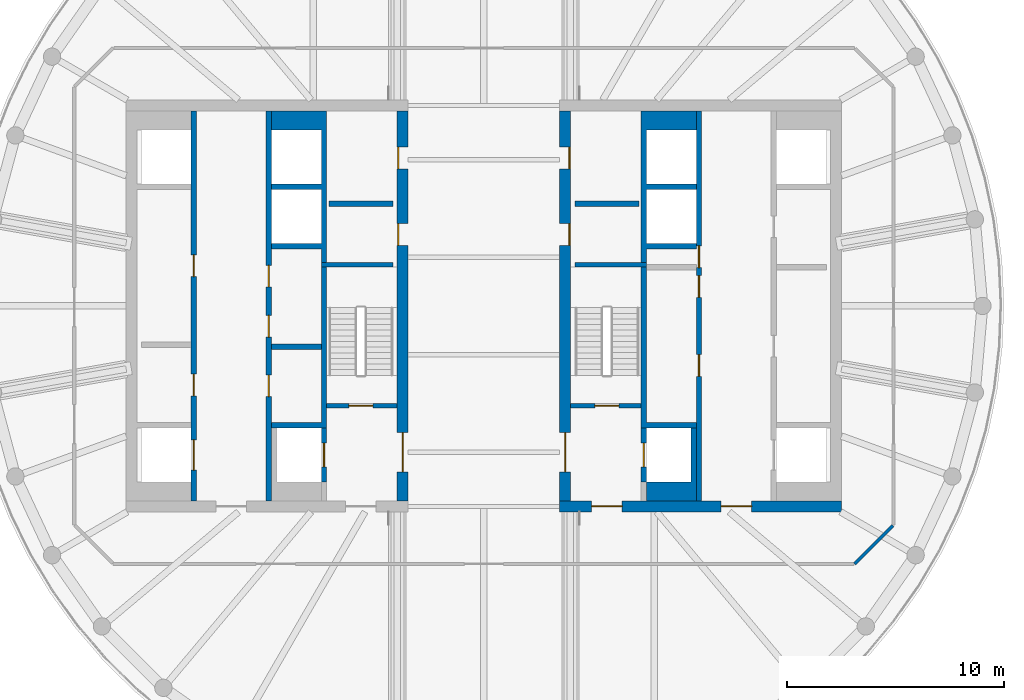
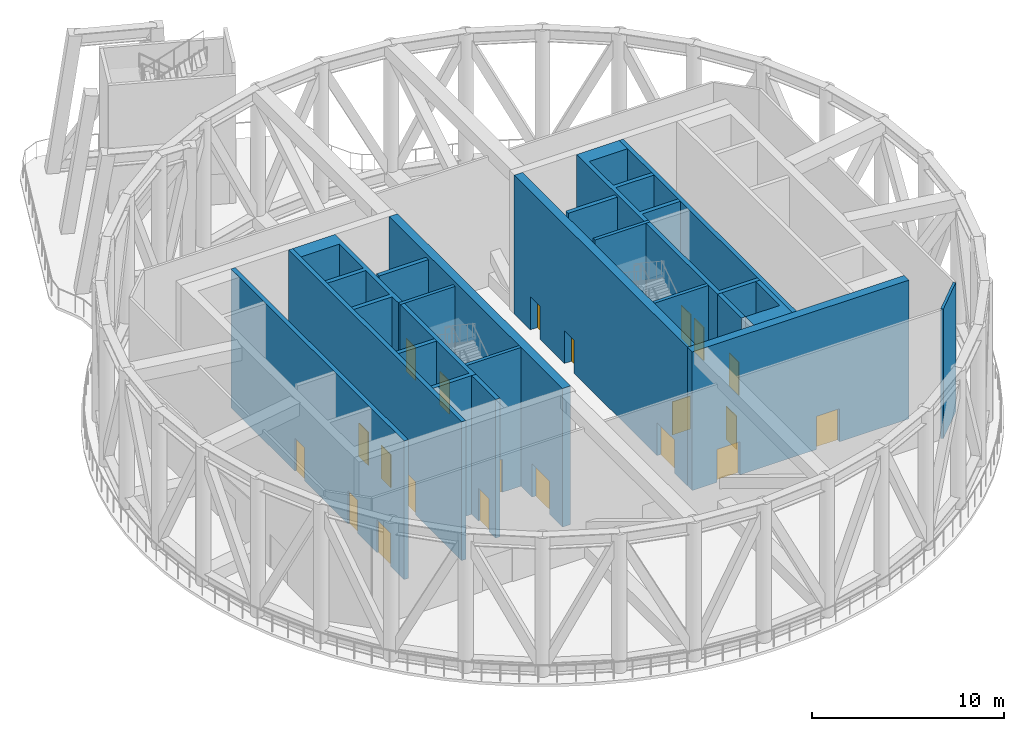
# One storey, part 4 of 10: 21 doors, 19 walls, 21 openings.
"""IFC4 building model written with IfcOpenShell, lengths in metres."""

from ifc_helpers import new_model, si_unit, direction, frame, frame_2d, origin, place, context, subcontext, project, spatial, polyline, rectangle, outline, extrude, material, layer, layer_set, type_object, element, fill, save


model = new_model("IFC4")

# Units and contexts
model_context = context("Model", 3, precision=1e-05, world=origin(), true_north=direction((0.0, 1.0)))
body_context = subcontext(model_context, "Body", "Model", "MODEL_VIEW")
ifc_project = project(units=[si_unit("LENGTHUNIT", "METRE"), si_unit("AREAUNIT", "SQUARE_METRE"), si_unit("VOLUMEUNIT", "CUBIC_METRE"), si_unit("PLANEANGLEUNIT", "RADIAN"), si_unit("MASSUNIT", "GRAM", prefix="KILO")], contexts=[model_context])

# Site, building, storey
site_placement = place(None, origin())
site = spatial("IfcSite", under=ifc_project, at=site_placement, CompositionType="ELEMENT")
building_placement = place(site_placement, origin())
building = spatial("IfcBuilding", under=site, at=building_placement, Name="Tamarind Cross Interchange Tower", CompositionType="ELEMENT")
storey_placement = place(building_placement, frame((0.0, 0.0, 278.39990234375)))
storey = spatial("IfcBuildingStorey", under=building, at=storey_placement, Name="L71", CompositionType="ELEMENT", Elevation=278.39990234375)

# Wall, openings, doors
ifc_material_1 = material(Name="Concrete C50", Category="concrete")
ifc_layer_1 = layer(ifc_material_1, 0.5)
ifc_layer_set_1 = layer_set([ifc_layer_1], Name="Concrete C50")
wall_type_1 = type_object("IfcWallType", Name="Core wall 500 mm Concrete C50", PredefinedType="SHEAR", material=ifc_layer_set_1)
wall_1_placement = place(storey_placement, frame((-3.75, -9.0, 0.0), z_axis=(0.0, 0.0, 1.0), x_axis=(0.0, 1.0, 0.0)))
wall_1 = element("IfcWall", 1, at=wall_1_placement, inside=storey, type_object=wall_type_1, Name="Core wall CWL-L71-W-IN", PredefinedType="SHEAR", context=body_context, shape_type="SweptSolid", body=[
    extrude(rectangle(XDim=18.0, YDim=0.5, at=frame_2d((9.0, 0.0))), origin(), (0.0, 0.0, 1.0), 8.800048828125),
])
opening_1_placement = place(wall_1_placement, frame((1.35009765625, 0.0, 0.0)))
opening_1 = element("IfcOpeningElement", 2, at=opening_1_placement, cuts=wall_1, Name="Opening DCW4", PredefinedType="OPENING", context=body_context, shape_type="SweptSolid", body=[
    extrude(rectangle(XDim=1.800048828125, YDim=2.10009765625, at=frame_2d((0.89990234375, 1.050048828125))), frame((0.0, 0.260009765625, 0.0), z_axis=(0.0, -1.0, 0.0), x_axis=(1.0, 0.0, 0.0)), (0.0, 0.0, 1.0), 0.52001953125),
])
opening_2_placement = place(wall_1_placement, frame((11.797607421875, 0.0, 0.0)))
opening_2 = element("IfcOpeningElement", 3, at=opening_2_placement, cuts=wall_1, Name="Opening DCW5", PredefinedType="OPENING", context=body_context, shape_type="SweptSolid", body=[
    extrude(rectangle(XDim=1.0, YDim=2.10009765625, at=frame_2d((0.5, 1.050048828125))), frame((0.0, 0.260009765625, 0.0), z_axis=(0.0, -1.0, 0.0), x_axis=(1.0, 0.0, 0.0)), (0.0, 0.0, 1.0), 0.52001953125),
])
opening_3_placement = place(wall_1_placement, frame((15.322509765625, 0.0, 0.0)))
opening_3 = element("IfcOpeningElement", 4, at=opening_3_placement, cuts=wall_1, Name="Opening DCW5", PredefinedType="OPENING", context=body_context, shape_type="SweptSolid", body=[
    extrude(rectangle(XDim=1.0, YDim=2.10009765625, at=frame_2d((0.5, 1.050048828125))), frame((0.0, 0.260009765625, 0.0), z_axis=(0.0, -1.0, 0.0), x_axis=(1.0, 0.0, 0.0)), (0.0, 0.0, 1.0), 0.52001953125),
])
ifc_material_2 = material(Name="Steel, fire-resisting", Category="steel")
door_type_1 = type_object("IfcDoorType", Name="Core fire door 1000 x 2100 FD90", OperationType="SINGLE_SWING_LEFT", PredefinedType="DOOR", material=ifc_material_2)
door_1_placement = place(opening_2_placement, origin())
door_1 = element("IfcDoor", 5, at=door_1_placement, inside=storey, type_object=door_type_1, Name="L71 plant store door", OperationType="SINGLE_SWING_LEFT", OverallHeight=2.10009765625, OverallWidth=1.0, PredefinedType="DOOR", context=body_context, shape_type="SweptSolid", body=[
    extrude(rectangle(XDim=1.0, YDim=2.10009765625, at=frame_2d((0.5, 1.050048828125))), frame((0.0, 0.22509765625, 0.0), z_axis=(0.0, -1.0, 0.0), x_axis=(1.0, 0.0, 0.0)), (0.0, 0.0, 1.0), 0.050048828125),
])
fill(opening_2, door_1)
door_2_placement = place(opening_3_placement, origin())
door_2 = element("IfcDoor", 6, at=door_2_placement, inside=storey, type_object=door_type_1, Name="L71 pump store door", OperationType="SINGLE_SWING_LEFT", OverallHeight=2.10009765625, OverallWidth=1.0, PredefinedType="DOOR", context=body_context, shape_type="SweptSolid", body=[
    extrude(rectangle(XDim=1.0, YDim=2.10009765625, at=frame_2d((0.5, 1.050048828125))), frame((0.0, 0.22509765625, 0.0), z_axis=(0.0, -1.0, 0.0), x_axis=(1.0, 0.0, 0.0)), (0.0, 0.0, 1.0), 0.050048828125),
])
fill(opening_3, door_2)
door_type_2 = type_object("IfcDoorType", Name="Core fire door 1800 x 2100 FD90", OperationType="SINGLE_SWING_LEFT", PredefinedType="DOOR", material=ifc_material_2)
door_3_placement = place(opening_1_placement, origin())
door_3 = element("IfcDoor", 7, at=door_3_placement, inside=storey, type_object=door_type_2, Name="L71 firefighting lobby door", OperationType="SINGLE_SWING_LEFT", OverallHeight=2.10009765625, OverallWidth=1.800048828125, PredefinedType="DOOR", context=body_context, shape_type="SweptSolid", body=[
    extrude(rectangle(XDim=1.800048828125, YDim=2.10009765625, at=frame_2d((0.89990234375, 1.050048828125))), frame((0.0, 0.02490234375, 0.0), z_axis=(0.0, -1.0, 0.0), x_axis=(1.0, 0.0, 0.0)), (0.0, 0.0, 1.0), 0.050048828125),
])
fill(opening_1, door_3)

wall_2_placement = place(storey_placement, frame((16.5, -9.25, 0.0), z_axis=(0.0, 0.0, 1.0), x_axis=(-1.0, 0.0, 0.0)))
wall_2 = element("IfcWall", 8, at=wall_2_placement, inside=storey, type_object=wall_type_1, Name="Core wall CWL-L71-E-S", PredefinedType="SHEAR", context=body_context, shape_type="SweptSolid", body=[
    extrude(rectangle(XDim=13.0, YDim=0.5, at=frame_2d((6.5, 0.0))), origin(), (0.0, 0.0, 1.0), 8.800048828125),
])
opening_4_placement = place(wall_2_placement, frame((4.14990234375, 0.0, 0.0)))
opening_4 = element("IfcOpeningElement", 9, at=opening_4_placement, cuts=wall_2, Name="Opening DCE1", PredefinedType="OPENING", context=body_context, shape_type="SweptSolid", body=[
    extrude(rectangle(XDim=1.39990234375, YDim=2.10009765625, at=frame_2d((0.699951171875, 1.050048828125))), frame((0.0, 0.260009765625, 0.0), z_axis=(0.0, -1.0, 0.0), x_axis=(1.0, 0.0, 0.0)), (0.0, 0.0, 1.0), 0.52001953125),
])
opening_5_placement = place(wall_2_placement, frame((10.125, 0.0, 0.0)))
opening_5 = element("IfcOpeningElement", 10, at=opening_5_placement, cuts=wall_2, Name="Opening DCEF", PredefinedType="OPENING", context=body_context, shape_type="SweptSolid", body=[
    extrude(rectangle(XDim=1.39990234375, YDim=2.10009765625, at=frame_2d((0.699951171875, 1.050048828125))), frame((0.0, 0.260009765625, 0.0), z_axis=(0.0, -1.0, 0.0), x_axis=(1.0, 0.0, 0.0)), (0.0, 0.0, 1.0), 0.52001953125),
])
door_type_3 = type_object("IfcDoorType", Name="Core fire door 1400 x 2100 FD90", OperationType="SINGLE_SWING_LEFT", PredefinedType="DOOR", material=ifc_material_2)
door_4_placement = place(opening_4_placement, origin())
door_4 = element("IfcDoor", 11, at=door_4_placement, inside=storey, type_object=door_type_3, Name="L71 lift lobby door", OperationType="SINGLE_SWING_LEFT", OverallHeight=2.10009765625, OverallWidth=1.39990234375, PredefinedType="DOOR", context=body_context, shape_type="SweptSolid", body=[
    extrude(rectangle(XDim=1.39990234375, YDim=2.10009765625, at=frame_2d((0.699951171875, 1.050048828125))), frame((0.0, 0.02490234375, 0.0), z_axis=(0.0, -1.0, 0.0), x_axis=(1.0, 0.0, 0.0)), (0.0, 0.0, 1.0), 0.050048828125),
])
fill(opening_4, door_4)
door_5_placement = place(opening_5_placement, origin())
door_5 = element("IfcDoor", 12, at=door_5_placement, inside=storey, type_object=door_type_3, Name="L71 firefighting lobby end door", OperationType="SINGLE_SWING_LEFT", OverallHeight=2.10009765625, OverallWidth=1.39990234375, PredefinedType="DOOR", context=body_context, shape_type="SweptSolid", body=[
    extrude(rectangle(XDim=1.39990234375, YDim=2.10009765625, at=frame_2d((0.699951171875, 1.050048828125))), frame((0.0, 0.02490234375, 0.0), z_axis=(0.0, -1.0, 0.0), x_axis=(1.0, 0.0, 0.0)), (0.0, 0.0, 1.0), 0.050048828125),
])
fill(opening_5, door_5)

wall_3_placement = place(storey_placement, frame((3.75, -9.0, 0.0), z_axis=(0.0, 0.0, 1.0), x_axis=(0.0, 1.0, 0.0)))
wall_3 = element("IfcWall", 13, at=wall_3_placement, inside=storey, type_object=wall_type_1, Name="Core wall CWL-L71-E-IN", PredefinedType="SHEAR", context=body_context, shape_type="SweptSolid", body=[
    extrude(rectangle(XDim=18.0, YDim=0.5, at=frame_2d((9.0, 0.0))), origin(), (0.0, 0.0, 1.0), 8.800048828125),
])
opening_6_placement = place(wall_3_placement, frame((1.35009765625, 0.0, 0.0)))
opening_6 = element("IfcOpeningElement", 14, at=opening_6_placement, cuts=wall_3, Name="Opening DCE4", PredefinedType="OPENING", context=body_context, shape_type="SweptSolid", body=[
    extrude(rectangle(XDim=1.800048828125, YDim=2.10009765625, at=frame_2d((0.89990234375, 1.050048828125))), frame((0.0, 0.260009765625, 0.0), z_axis=(0.0, -1.0, 0.0), x_axis=(1.0, 0.0, 0.0)), (0.0, 0.0, 1.0), 0.52001953125),
])
opening_7_placement = place(wall_3_placement, frame((11.797607421875, 0.0, 0.0)))
opening_7 = element("IfcOpeningElement", 15, at=opening_7_placement, cuts=wall_3, Name="Opening DCE5", PredefinedType="OPENING", context=body_context, shape_type="SweptSolid", body=[
    extrude(rectangle(XDim=1.0, YDim=2.10009765625, at=frame_2d((0.5, 1.050048828125))), frame((0.0, 0.260009765625, 0.0), z_axis=(0.0, -1.0, 0.0), x_axis=(1.0, 0.0, 0.0)), (0.0, 0.0, 1.0), 0.52001953125),
])
opening_8_placement = place(wall_3_placement, frame((15.322509765625, 0.0, 0.0)))
opening_8 = element("IfcOpeningElement", 16, at=opening_8_placement, cuts=wall_3, Name="Opening DCE5", PredefinedType="OPENING", context=body_context, shape_type="SweptSolid", body=[
    extrude(rectangle(XDim=1.0, YDim=2.10009765625, at=frame_2d((0.5, 1.050048828125))), frame((0.0, 0.260009765625, 0.0), z_axis=(0.0, -1.0, 0.0), x_axis=(1.0, 0.0, 0.0)), (0.0, 0.0, 1.0), 0.52001953125),
])
door_6_placement = place(opening_7_placement, origin())
door_6 = element("IfcDoor", 17, at=door_6_placement, inside=storey, type_object=door_type_1, Name="L71 plant store door", OperationType="SINGLE_SWING_LEFT", OverallHeight=2.10009765625, OverallWidth=1.0, PredefinedType="DOOR", context=body_context, shape_type="SweptSolid", body=[
    extrude(rectangle(XDim=1.0, YDim=2.10009765625, at=frame_2d((0.5, 1.050048828125))), frame((0.0, -0.1748046875, 0.0), z_axis=(0.0, -1.0, 0.0), x_axis=(1.0, 0.0, 0.0)), (0.0, 0.0, 1.0), 0.050048828125),
])
fill(opening_7, door_6)
door_7_placement = place(opening_8_placement, origin())
door_7 = element("IfcDoor", 18, at=door_7_placement, inside=storey, type_object=door_type_1, Name="L71 pump store door", OperationType="SINGLE_SWING_LEFT", OverallHeight=2.10009765625, OverallWidth=1.0, PredefinedType="DOOR", context=body_context, shape_type="SweptSolid", body=[
    extrude(rectangle(XDim=1.0, YDim=2.10009765625, at=frame_2d((0.5, 1.050048828125))), frame((0.0, -0.1748046875, 0.0), z_axis=(0.0, -1.0, 0.0), x_axis=(1.0, 0.0, 0.0)), (0.0, 0.0, 1.0), 0.050048828125),
])
fill(opening_8, door_7)
door_8_placement = place(opening_6_placement, origin())
door_8 = element("IfcDoor", 19, at=door_8_placement, inside=storey, type_object=door_type_2, Name="L71 firefighting lobby door", OperationType="SINGLE_SWING_LEFT", OverallHeight=2.10009765625, OverallWidth=1.800048828125, PredefinedType="DOOR", context=body_context, shape_type="SweptSolid", body=[
    extrude(rectangle(XDim=1.800048828125, YDim=2.10009765625, at=frame_2d((0.89990234375, 1.050048828125))), frame((0.0, 0.02490234375, 0.0), z_axis=(0.0, -1.0, 0.0), x_axis=(1.0, 0.0, 0.0)), (0.0, 0.0, 1.0), 0.050048828125),
])
fill(opening_6, door_8)

# Walls
ifc_layer_2 = layer(ifc_material_1, 0.199951171875)
ifc_layer_set_2 = layer_set([ifc_layer_2], Name="Concrete C50")
wall_type_2 = type_object("IfcWallType", Name="Core web wall 200 mm Concrete C50", PredefinedType="SHEAR", material=ifc_layer_set_2)
for number, where, z_axis, x_axis, name in (
    (20, (-7.5, 1.89990234375, 0.0), (0.0, 0.0, 1.0), (1.0, 0.0, 0.0), "Core wall CWL-L71-W-BD"),
    (21, (7.5, 1.89990234375, 0.0), (0.0, 0.0, 1.0), (-1.0, 0.0, 0.0), "Core wall CWL-L71-E-BD"),
):
    element("IfcWall", number, at=place(storey_placement, frame(where, z_axis=z_axis, x_axis=x_axis)), inside=storey, type_object=wall_type_2, Name=name, PredefinedType="SHEAR", context=body_context, shape_type="SweptSolid", body=[
        extrude(rectangle(XDim=3.300048828125, YDim=0.199951171875, at=frame_2d((1.64990234375, 0.0))), origin(), (0.0, 0.0, 1.0), 8.800048828125),
    ])
ifc_layer_3 = layer(ifc_material_1, 0.25)
ifc_layer_set_3 = layer_set([ifc_layer_3], Name="Concrete C50")
wall_type_3 = type_object("IfcWallType", Name="Core web wall 250 mm Concrete C50", PredefinedType="SHEAR", material=ifc_layer_set_3)
wall_4_placement = place(storey_placement, origin())
element("IfcWall", 22, at=wall_4_placement, inside=storey, type_object=wall_type_3, Name="Core wall CWL-L71-W-BN", PredefinedType="SHEAR", context=body_context, shape_type="SweptSolid", body=[
    extrude(outline(polyline([(-9.800048828125, -5.375), (-9.800048828125, -5.625), (-7.5, -5.625), (-7.25, -5.625), (-7.25, 9.0), (-7.5, 9.0), (-9.800048828125, 9.0), (-9.800048828125, 8.125), (-7.5, 8.125), (-7.5, 5.625), (-9.800048828125, 5.625), (-9.800048828125, 5.375), (-7.5, 5.375), (-7.5, 2.875), (-9.800048828125, 2.875), (-9.800048828125, 2.625), (-7.5, 2.625), (-7.5, -5.375), (-9.800048828125, -5.375)])), origin(), (0.0, 0.0, 1.0), 8.800048828125),
])

# Wall, openings, doors
wall_5_placement = place(storey_placement, frame((-13.375, -9.0, 0.0), z_axis=(0.0, 0.0, 1.0), x_axis=(0.0, 1.0, 0.0)))
wall_5 = element("IfcWall", 23, at=wall_5_placement, inside=storey, type_object=wall_type_3, Name="Core wall CWL-L71-W-LA", PredefinedType="SHEAR", context=body_context, shape_type="SweptSolid", body=[
    extrude(rectangle(XDim=18.0, YDim=0.25, at=frame_2d((9.0, 0.0))), origin(), (0.0, 0.0, 1.0), 8.800048828125),
])
opening_9_placement = place(wall_5_placement, frame((1.425048828125, 0.0, 0.0)))
opening_9 = element("IfcOpeningElement", 24, at=opening_9_placement, cuts=wall_5, Name="Opening LD1L71", PredefinedType="OPENING", context=body_context, shape_type="SweptSolid", body=[
    extrude(rectangle(XDim=1.39990234375, YDim=2.10009765625, at=frame_2d((0.699951171875, 1.050048828125))), frame((0.0, 0.135009765625, 0.0), z_axis=(0.0, -1.0, 0.0), x_axis=(1.0, 0.0, 0.0)), (0.0, 0.0, 1.0), 0.27001953125),
])
opening_10_placement = place(wall_5_placement, frame((4.85400390625, 0.0, 0.0)))
opening_10 = element("IfcOpeningElement", 25, at=opening_10_placement, cuts=wall_5, Name="Opening DCW9", PredefinedType="OPENING", context=body_context, shape_type="SweptSolid", body=[
    extrude(rectangle(XDim=1.0, YDim=2.10009765625, at=frame_2d((0.5, 1.050048828125))), frame((0.0, 0.135009765625, 0.0), z_axis=(0.0, -1.0, 0.0), x_axis=(1.0, 0.0, 0.0)), (0.0, 0.0, 1.0), 0.27001953125),
])
opening_11_placement = place(wall_5_placement, frame((10.35400390625, 0.0, 0.0)))
opening_11 = element("IfcOpeningElement", 26, at=opening_11_placement, cuts=wall_5, Name="Opening DCW10", PredefinedType="OPENING", context=body_context, shape_type="SweptSolid", body=[
    extrude(rectangle(XDim=1.0, YDim=2.10009765625, at=frame_2d((0.5, 1.050048828125))), frame((0.0, 0.135009765625, 0.0), z_axis=(0.0, -1.0, 0.0), x_axis=(1.0, 0.0, 0.0)), (0.0, 0.0, 1.0), 0.27001953125),
])
door_9_placement = place(opening_10_placement, origin())
door_9 = element("IfcDoor", 27, at=door_9_placement, inside=storey, type_object=door_type_1, Name="L71 Plant room door", OperationType="SINGLE_SWING_LEFT", OverallHeight=2.10009765625, OverallWidth=1.0, PredefinedType="DOOR", context=body_context, shape_type="SweptSolid", body=[
    extrude(rectangle(XDim=1.0, YDim=2.10009765625, at=frame_2d((0.5, 1.050048828125))), frame((0.0, 0.02490234375, 0.0), z_axis=(0.0, -1.0, 0.0), x_axis=(1.0, 0.0, 0.0)), (0.0, 0.0, 1.0), 0.050048828125),
])
fill(opening_10, door_9)
door_10_placement = place(opening_11_placement, origin())
door_10 = element("IfcDoor", 28, at=door_10_placement, inside=storey, type_object=door_type_1, Name="L71 Storage room door", OperationType="SINGLE_SWING_LEFT", OverallHeight=2.10009765625, OverallWidth=1.0, PredefinedType="DOOR", context=body_context, shape_type="SweptSolid", body=[
    extrude(rectangle(XDim=1.0, YDim=2.10009765625, at=frame_2d((0.5, 1.050048828125))), frame((0.0, 0.02490234375, 0.0), z_axis=(0.0, -1.0, 0.0), x_axis=(1.0, 0.0, 0.0)), (0.0, 0.0, 1.0), 0.050048828125),
])
fill(opening_11, door_10)
ifc_material_3 = material(Name="Stainless steel panel", Category="steel")
door_type_4 = type_object("IfcDoorType", Name="Lift landing door 1400 x 2100 E 120", OperationType="SLIDING_TO_LEFT", PredefinedType="DOOR", material=ifc_material_3)
door_11_placement = place(opening_9_placement, origin())
door_11 = element("IfcDoor", 29, at=door_11_placement, inside=storey, type_object=door_type_4, Name="L71 landing door LF1", OperationType="SLIDING_TO_LEFT", OverallHeight=2.10009765625, OverallWidth=1.39990234375, PredefinedType="DOOR", context=body_context, shape_type="SweptSolid", body=[
    extrude(rectangle(XDim=1.39990234375, YDim=2.10009765625, at=frame_2d((0.699951171875, 1.050048828125))), frame((0.0, 0.02490234375, 0.0), z_axis=(0.0, -1.0, 0.0), x_axis=(1.0, 0.0, 0.0)), (0.0, 0.0, 1.0), 0.050048828125),
])
fill(opening_9, door_11)

wall_6_placement = place(storey_placement, frame((-9.925048828125, -9.0, 0.0), z_axis=(0.0, 0.0, 1.0), x_axis=(0.0, 1.0, 0.0)))
wall_6 = element("IfcWall", 30, at=wall_6_placement, inside=storey, type_object=wall_type_3, Name="Core wall CWL-L71-W-LB", PredefinedType="SHEAR", context=body_context, shape_type="SweptSolid", body=[
    extrude(rectangle(XDim=18.0, YDim=0.25, at=frame_2d((9.0, 0.0))), origin(), (0.0, 0.0, 1.0), 8.800048828125),
])
opening_12_placement = place(wall_6_placement, frame((4.8125, 0.0, 0.0)))
opening_12 = element("IfcOpeningElement", 31, at=opening_12_placement, cuts=wall_6, Name="Opening DCW21", PredefinedType="OPENING", context=body_context, shape_type="SweptSolid", body=[
    extrude(rectangle(XDim=1.0, YDim=2.10009765625, at=frame_2d((0.5, 1.050048828125))), frame((0.0, 0.135009765625, 0.0), z_axis=(0.0, -1.0, 0.0), x_axis=(1.0, 0.0, 0.0)), (0.0, 0.0, 1.0), 0.27001953125),
])
opening_13_placement = place(wall_6_placement, frame((7.5625, 0.0, 0.0)))
opening_13 = element("IfcOpeningElement", 32, at=opening_13_placement, cuts=wall_6, Name="Opening DCW22", PredefinedType="OPENING", context=body_context, shape_type="SweptSolid", body=[
    extrude(rectangle(XDim=1.0, YDim=2.10009765625, at=frame_2d((0.5, 1.050048828125))), frame((0.0, 0.135009765625, 0.0), z_axis=(0.0, -1.0, 0.0), x_axis=(1.0, 0.0, 0.0)), (0.0, 0.0, 1.0), 0.27001953125),
])
opening_14_placement = place(wall_6_placement, frame((9.875, 0.0, 0.0)))
opening_14 = element("IfcOpeningElement", 33, at=opening_14_placement, cuts=wall_6, Name="Opening DCW21", PredefinedType="OPENING", context=body_context, shape_type="SweptSolid", body=[
    extrude(rectangle(XDim=1.0, YDim=2.10009765625, at=frame_2d((0.5, 1.050048828125))), frame((0.0, 0.135009765625, 0.0), z_axis=(0.0, -1.0, 0.0), x_axis=(1.0, 0.0, 0.0)), (0.0, 0.0, 1.0), 0.27001953125),
])
door_12_placement = place(opening_12_placement, origin())
door_12 = element("IfcDoor", 34, at=door_12_placement, inside=storey, type_object=door_type_1, Name="L71 Pump room door", OperationType="SINGLE_SWING_LEFT", OverallHeight=2.10009765625, OverallWidth=1.0, PredefinedType="DOOR", context=body_context, shape_type="SweptSolid", body=[
    extrude(rectangle(XDim=1.0, YDim=2.10009765625, at=frame_2d((0.5, 1.050048828125))), frame((0.0, 0.02490234375, 0.0), z_axis=(0.0, -1.0, 0.0), x_axis=(1.0, 0.0, 0.0)), (0.0, 0.0, 1.0), 0.050048828125),
])
fill(opening_12, door_12)
door_13_placement = place(opening_13_placement, origin())
door_13 = element("IfcDoor", 35, at=door_13_placement, inside=storey, type_object=door_type_1, Name="L71 Plant room door", OperationType="SINGLE_SWING_LEFT", OverallHeight=2.10009765625, OverallWidth=1.0, PredefinedType="DOOR", context=body_context, shape_type="SweptSolid", body=[
    extrude(rectangle(XDim=1.0, YDim=2.10009765625, at=frame_2d((0.5, 1.050048828125))), frame((0.0, 0.02490234375, 0.0), z_axis=(0.0, -1.0, 0.0), x_axis=(1.0, 0.0, 0.0)), (0.0, 0.0, 1.0), 0.050048828125),
])
fill(opening_13, door_13)
door_14_placement = place(opening_14_placement, origin())
door_14 = element("IfcDoor", 36, at=door_14_placement, inside=storey, type_object=door_type_1, Name="L71 Plant room door", OperationType="SINGLE_SWING_LEFT", OverallHeight=2.10009765625, OverallWidth=1.0, PredefinedType="DOOR", context=body_context, shape_type="SweptSolid", body=[
    extrude(rectangle(XDim=1.0, YDim=2.10009765625, at=frame_2d((0.5, 1.050048828125))), frame((0.0, 0.02490234375, 0.0), z_axis=(0.0, -1.0, 0.0), x_axis=(1.0, 0.0, 0.0)), (0.0, 0.0, 1.0), 0.050048828125),
])
fill(opening_14, door_14)

# Wall, opening, door
wall_7_placement = place(storey_placement, frame((-7.375, -8.125, 0.0), z_axis=(0.0, 0.0, 1.0), x_axis=(0.0, 1.0, 0.0)))
wall_7 = element("IfcWall", 37, at=wall_7_placement, inside=storey, type_object=wall_type_3, Name="Core wall CWL-L71-W-FF", PredefinedType="SHEAR", context=body_context, shape_type="SweptSolid", body=[
    extrude(rectangle(XDim=2.5, YDim=0.25, at=frame_2d((1.25, 0.0))), origin(), (0.0, 0.0, 1.0), 8.800048828125),
])
opening_15_placement = place(wall_7_placement, frame((0.699951171875, 0.0, 0.0)))
opening_15 = element("IfcOpeningElement", 38, at=opening_15_placement, cuts=wall_7, Name="Opening LD7L71", PredefinedType="OPENING", context=body_context, shape_type="SweptSolid", body=[
    extrude(rectangle(XDim=1.10009765625, YDim=2.10009765625, at=frame_2d((0.550048828125, 1.050048828125))), frame((0.0, 0.135009765625, 0.0), z_axis=(0.0, -1.0, 0.0), x_axis=(1.0, 0.0, 0.0)), (0.0, 0.0, 1.0), 0.27001953125),
])
door_type_5 = type_object("IfcDoorType", Name="Lift landing door 1100 x 2100 E 120", OperationType="SLIDING_TO_LEFT", PredefinedType="DOOR", material=ifc_material_3)
door_15_placement = place(opening_15_placement, origin())
door_15 = element("IfcDoor", 39, at=door_15_placement, inside=storey, type_object=door_type_5, Name="L71 landing door LF7", OperationType="SLIDING_TO_LEFT", OverallHeight=2.10009765625, OverallWidth=1.10009765625, PredefinedType="DOOR", context=body_context, shape_type="SweptSolid", body=[
    extrude(rectangle(XDim=1.10009765625, YDim=2.10009765625, at=frame_2d((0.550048828125, 1.050048828125))), frame((0.0, 0.02490234375, 0.0), z_axis=(0.0, -1.0, 0.0), x_axis=(1.0, 0.0, 0.0)), (0.0, 0.0, 1.0), 0.050048828125),
])
fill(opening_15, door_15)

# Walls
wall_8_placement = place(storey_placement, origin())
element("IfcWall", 40, at=wall_8_placement, inside=storey, type_object=wall_type_3, Name="Core wall CWL-L71-E-BN", PredefinedType="SHEAR", context=body_context, shape_type="SweptSolid", body=[
    extrude(outline(polyline([(9.800048828125, -5.375), (7.5, -5.375), (7.5, 2.625), (9.800048828125, 2.625), (9.800048828125, 2.875), (7.5, 2.875), (7.5, 5.375), (9.800048828125, 5.375), (9.800048828125, 5.625), (7.5, 5.625), (7.5, 8.125), (9.800048828125, 8.125), (9.800048828125, 9.0), (7.5, 9.0), (7.25, 9.0), (7.25, -5.625), (7.5, -5.625), (9.800048828125, -5.625), (9.800048828125, -5.375)])), origin(), (0.0, 0.0, 1.0), 8.800048828125),
])
wall_9_placement = place(storey_placement, origin())
element("IfcWall", 41, at=wall_9_placement, inside=storey, type_object=wall_type_3, Name="Core wall CWL-L71-E-BS", PredefinedType="SHEAR", context=body_context, shape_type="SweptSolid", body=[
    extrude(outline(polyline([(7.5, -8.125), (7.5, -9.0), (9.800048828125, -9.0), (9.800048828125, -8.125), (9.800048828125, -5.625), (9.550048828125, -5.625), (9.550048828125, -8.125), (7.5, -8.125)])), origin(), (0.0, 0.0, 1.0), 8.800048828125),
])

# Wall, openings, doors
wall_10_placement = place(storey_placement, frame((9.925048828125, -9.0, 0.0), z_axis=(0.0, 0.0, 1.0), x_axis=(0.0, 1.0, 0.0)))
wall_10 = element("IfcWall", 42, at=wall_10_placement, inside=storey, type_object=wall_type_3, Name="Core wall CWL-L71-E-LB", PredefinedType="SHEAR", context=body_context, shape_type="SweptSolid", body=[
    extrude(rectangle(XDim=18.0, YDim=0.25, at=frame_2d((9.0, 0.0))), origin(), (0.0, 0.0, 1.0), 8.800048828125),
])
opening_16_placement = place(wall_10_placement, frame((5.75, 0.0, 0.0)))
opening_16 = element("IfcOpeningElement", 43, at=opening_16_placement, cuts=wall_10, Name="Opening DCE21", PredefinedType="OPENING", context=body_context, shape_type="SweptSolid", body=[
    extrude(rectangle(XDim=1.0, YDim=2.10009765625, at=frame_2d((0.5, 1.050048828125))), frame((0.0, 0.135009765625, 0.0), z_axis=(0.0, -1.0, 0.0), x_axis=(1.0, 0.0, 0.0)), (0.0, 0.0, 1.0), 0.27001953125),
])
opening_17_placement = place(wall_10_placement, frame((9.39599609375, 0.0, 0.0)))
opening_17 = element("IfcOpeningElement", 44, at=opening_17_placement, cuts=wall_10, Name="Opening DCE21", PredefinedType="OPENING", context=body_context, shape_type="SweptSolid", body=[
    extrude(rectangle(XDim=1.0, YDim=2.10009765625, at=frame_2d((0.5, 1.050048828125))), frame((0.0, 0.135009765625, 0.0), z_axis=(0.0, -1.0, 0.0), x_axis=(1.0, 0.0, 0.0)), (0.0, 0.0, 1.0), 0.27001953125),
])
opening_18_placement = place(wall_10_placement, frame((10.77099609375, 0.0, 0.0)))
opening_18 = element("IfcOpeningElement", 45, at=opening_18_placement, cuts=wall_10, Name="Opening DCE22", PredefinedType="OPENING", context=body_context, shape_type="SweptSolid", body=[
    extrude(rectangle(XDim=1.0, YDim=2.10009765625, at=frame_2d((0.5, 1.050048828125))), frame((0.0, 0.135009765625, 0.0), z_axis=(0.0, -1.0, 0.0), x_axis=(1.0, 0.0, 0.0)), (0.0, 0.0, 1.0), 0.27001953125),
])
door_16_placement = place(opening_16_placement, origin())
door_16 = element("IfcDoor", 46, at=door_16_placement, inside=storey, type_object=door_type_1, Name="L71 Plant room door", OperationType="SINGLE_SWING_LEFT", OverallHeight=2.10009765625, OverallWidth=1.0, PredefinedType="DOOR", context=body_context, shape_type="SweptSolid", body=[
    extrude(rectangle(XDim=1.0, YDim=2.10009765625, at=frame_2d((0.5, 1.050048828125))), frame((0.0, 0.02490234375, 0.0), z_axis=(0.0, -1.0, 0.0), x_axis=(1.0, 0.0, 0.0)), (0.0, 0.0, 1.0), 0.050048828125),
])
fill(opening_16, door_16)
door_17_placement = place(opening_17_placement, origin())
door_17 = element("IfcDoor", 47, at=door_17_placement, inside=storey, type_object=door_type_1, Name="L71 Storage room door", OperationType="SINGLE_SWING_LEFT", OverallHeight=2.10009765625, OverallWidth=1.0, PredefinedType="DOOR", context=body_context, shape_type="SweptSolid", body=[
    extrude(rectangle(XDim=1.0, YDim=2.10009765625, at=frame_2d((0.5, 1.050048828125))), frame((0.0, 0.02490234375, 0.0), z_axis=(0.0, -1.0, 0.0), x_axis=(1.0, 0.0, 0.0)), (0.0, 0.0, 1.0), 0.050048828125),
])
fill(opening_17, door_17)
door_18_placement = place(opening_18_placement, origin())
door_18 = element("IfcDoor", 48, at=door_18_placement, inside=storey, type_object=door_type_1, Name="L71 Battery room door", OperationType="SINGLE_SWING_LEFT", OverallHeight=2.10009765625, OverallWidth=1.0, PredefinedType="DOOR", context=body_context, shape_type="SweptSolid", body=[
    extrude(rectangle(XDim=1.0, YDim=2.10009765625, at=frame_2d((0.5, 1.050048828125))), frame((0.0, 0.02490234375, 0.0), z_axis=(0.0, -1.0, 0.0), x_axis=(1.0, 0.0, 0.0)), (0.0, 0.0, 1.0), 0.050048828125),
])
fill(opening_18, door_18)

# Wall, opening, door
wall_11_placement = place(storey_placement, frame((7.375, -8.125, 0.0), z_axis=(0.0, 0.0, 1.0), x_axis=(0.0, 1.0, 0.0)))
wall_11 = element("IfcWall", 49, at=wall_11_placement, inside=storey, type_object=wall_type_3, Name="Core wall CWL-L71-E-FF", PredefinedType="SHEAR", context=body_context, shape_type="SweptSolid", body=[
    extrude(rectangle(XDim=2.5, YDim=0.25, at=frame_2d((1.25, 0.0))), origin(), (0.0, 0.0, 1.0), 8.800048828125),
])
opening_19_placement = place(wall_11_placement, frame((0.699951171875, 0.0, 0.0)))
opening_19 = element("IfcOpeningElement", 50, at=opening_19_placement, cuts=wall_11, Name="Opening LD19L71", PredefinedType="OPENING", context=body_context, shape_type="SweptSolid", body=[
    extrude(rectangle(XDim=1.10009765625, YDim=2.10009765625, at=frame_2d((0.550048828125, 1.050048828125))), frame((0.0, 0.135009765625, 0.0), z_axis=(0.0, -1.0, 0.0), x_axis=(1.0, 0.0, 0.0)), (0.0, 0.0, 1.0), 0.27001953125),
])
door_19_placement = place(opening_19_placement, origin())
door_19 = element("IfcDoor", 51, at=door_19_placement, inside=storey, type_object=door_type_5, Name="L71 landing door LF19", OperationType="SLIDING_TO_LEFT", OverallHeight=2.10009765625, OverallWidth=1.10009765625, PredefinedType="DOOR", context=body_context, shape_type="SweptSolid", body=[
    extrude(rectangle(XDim=1.10009765625, YDim=2.10009765625, at=frame_2d((0.550048828125, 1.050048828125))), frame((0.0, 0.02490234375, 0.0), z_axis=(0.0, -1.0, 0.0), x_axis=(1.0, 0.0, 0.0)), (0.0, 0.0, 1.0), 0.050048828125),
])
fill(opening_19, door_19)

# Walls
ifc_material_4 = material(Name="Gypsum board partition on steel studs", Category="steel")
ifc_layer_4 = layer(ifc_material_4, 0.14990234375)
ifc_layer_set_4 = layer_set([ifc_layer_4], Name="Gypsum board partition on steel studs")
wall_type_4 = type_object("IfcWallType", Name="Partition 150 mm EI 120", PredefinedType="PARTITIONING", material=ifc_layer_set_4)
wall_12_placement = place(storey_placement, frame((17.10009765625, -11.89990234375, 0.0), z_axis=(0.0, 0.0, 1.0), x_axis=(0.707106781187, 0.707106781187, 0.0)))
element("IfcWall", 52, at=wall_12_placement, inside=storey, type_object=wall_type_4, Name="Partition L71-006", PredefinedType="PARTITIONING", context=body_context, shape_type="SweptSolid", body=[
    extrude(rectangle(XDim=2.50537109375, YDim=0.14990234375, at=frame_2d((1.252685546875, 0.0))), origin(), (0.0, 0.0, 1.0), 8.218017578125),
])
ifc_material_5 = material(Name="Concrete C40", Category="concrete")
ifc_layer_5 = layer(ifc_material_5, 0.25)
ifc_layer_set_5 = layer_set([ifc_layer_5], Name="Concrete C40")
wall_type_5 = type_object("IfcWallType", Name="Shaft and lobby wall 250 mm Concrete C40", PredefinedType="PARTITIONING", material=ifc_layer_set_5)
wall_13_placement = place(storey_placement, frame((-7.14990234375, 4.719970703125, 0.0), z_axis=(0.0, 0.0, 1.0), x_axis=(1.0, 0.0, 0.0)))
element("IfcWall", 53, at=wall_13_placement, inside=storey, type_object=wall_type_5, Name="Shaft wall CWL-L71-W-SVP", PredefinedType="PARTITIONING", context=body_context, shape_type="SweptSolid", body=[
    extrude(rectangle(XDim=2.949951171875, YDim=0.25, at=frame_2d((1.47509765625, 0.0))), origin(), (0.0, 0.0, 1.0), 8.800048828125),
])
wall_14_placement = place(storey_placement, frame((-9.800048828125, -1.875, 0.0), z_axis=(0.0, 0.0, 1.0), x_axis=(1.0, 0.0, 0.0)))
element("IfcWall", 54, at=wall_14_placement, inside=storey, type_object=wall_type_5, Name="Shaft wall CWL-L71-W-FPB1", PredefinedType="PARTITIONING", context=body_context, shape_type="SweptSolid", body=[
    extrude(rectangle(XDim=2.300048828125, YDim=0.25, at=frame_2d((1.14990234375, 0.0))), origin(), (0.0, 0.0, 1.0), 8.800048828125),
])
wall_15_placement = place(storey_placement, frame((7.14990234375, 4.719970703125, 0.0), z_axis=(0.0, 0.0, 1.0), x_axis=(-1.0, 0.0, 0.0)))
element("IfcWall", 55, at=wall_15_placement, inside=storey, type_object=wall_type_5, Name="Shaft wall CWL-L71-E-SVP", PredefinedType="PARTITIONING", context=body_context, shape_type="SweptSolid", body=[
    extrude(rectangle(XDim=2.949951171875, YDim=0.25, at=frame_2d((1.47509765625, 0.0))), origin(), (0.0, 0.0, 1.0), 8.800048828125),
])

# Wall, opening, door
ifc_layer_6 = layer(ifc_material_5, 0.199951171875)
ifc_layer_set_6 = layer_set([ifc_layer_6], Name="Concrete C40")
wall_type_6 = type_object("IfcWallType", Name="Stair shaft wall 200 mm Concrete C40", PredefinedType="SHEAR", material=ifc_layer_set_6)
wall_16_placement = place(storey_placement, frame((-7.25, -4.60009765625, 0.0), z_axis=(0.0, 0.0, 1.0), x_axis=(1.0, 0.0, 0.0)))
wall_16 = element("IfcWall", 56, at=wall_16_placement, inside=storey, type_object=wall_type_6, Name="Core wall CWL-L71-W-SD", PredefinedType="SHEAR", context=body_context, shape_type="SweptSolid", body=[
    extrude(rectangle(XDim=3.25, YDim=0.199951171875, at=frame_2d((1.625, 0.0))), origin(), (0.0, 0.0, 1.0), 8.800048828125),
])
opening_20_placement = place(wall_16_placement, frame((1.02490234375, 0.0, 0.0)))
opening_20 = element("IfcOpeningElement", 57, at=opening_20_placement, cuts=wall_16, Name="Opening DCW6", PredefinedType="OPENING", context=body_context, shape_type="SweptSolid", body=[
    extrude(rectangle(XDim=1.10009765625, YDim=2.10009765625, at=frame_2d((0.550048828125, 1.050048828125))), frame((0.0, 0.10986328125, 0.0), z_axis=(0.0, -1.0, 0.0), x_axis=(1.0, 0.0, 0.0)), (0.0, 0.0, 1.0), 0.219970703125),
])
door_type_6 = type_object("IfcDoorType", Name="Core fire door 1100 x 2100 FD90", OperationType="SINGLE_SWING_LEFT", PredefinedType="DOOR", material=ifc_material_2)
door_20_placement = place(opening_20_placement, origin())
door_20 = element("IfcDoor", 58, at=door_20_placement, inside=storey, type_object=door_type_6, Name="L71 stair door", OperationType="SINGLE_SWING_LEFT", OverallHeight=2.10009765625, OverallWidth=1.10009765625, PredefinedType="DOOR", context=body_context, shape_type="SweptSolid", body=[
    extrude(rectangle(XDim=1.10009765625, YDim=2.10009765625, at=frame_2d((0.550048828125, 1.050048828125))), frame((0.0, 0.02490234375, 0.0), z_axis=(0.0, -1.0, 0.0), x_axis=(1.0, 0.0, 0.0)), (0.0, 0.0, 1.0), 0.050048828125),
])
fill(opening_20, door_20)

wall_17_placement = place(storey_placement, frame((7.25, -4.60009765625, 0.0), z_axis=(0.0, 0.0, 1.0), x_axis=(-1.0, 0.0, 0.0)))
wall_17 = element("IfcWall", 59, at=wall_17_placement, inside=storey, type_object=wall_type_6, Name="Core wall CWL-L71-E-SD", PredefinedType="SHEAR", context=body_context, shape_type="SweptSolid", body=[
    extrude(rectangle(XDim=3.25, YDim=0.199951171875, at=frame_2d((1.625, 0.0))), origin(), (0.0, 0.0, 1.0), 8.800048828125),
])
opening_21_placement = place(wall_17_placement, frame((1.02490234375, 0.0, 0.0)))
opening_21 = element("IfcOpeningElement", 60, at=opening_21_placement, cuts=wall_17, Name="Opening DCE6", PredefinedType="OPENING", context=body_context, shape_type="SweptSolid", body=[
    extrude(rectangle(XDim=1.10009765625, YDim=2.10009765625, at=frame_2d((0.550048828125, 1.050048828125))), frame((0.0, 0.10986328125, 0.0), z_axis=(0.0, -1.0, 0.0), x_axis=(1.0, 0.0, 0.0)), (0.0, 0.0, 1.0), 0.219970703125),
])
door_21_placement = place(opening_21_placement, origin())
door_21 = element("IfcDoor", 61, at=door_21_placement, inside=storey, type_object=door_type_6, Name="L71 stair door", OperationType="SINGLE_SWING_LEFT", OverallHeight=2.10009765625, OverallWidth=1.10009765625, PredefinedType="DOOR", context=body_context, shape_type="SweptSolid", body=[
    extrude(rectangle(XDim=1.10009765625, YDim=2.10009765625, at=frame_2d((0.550048828125, 1.050048828125))), frame((0.0, 0.02490234375, 0.0), z_axis=(0.0, -1.0, 0.0), x_axis=(1.0, 0.0, 0.0)), (0.0, 0.0, 1.0), 0.050048828125),
])
fill(opening_21, door_21)

save(model, "model.ifc")
